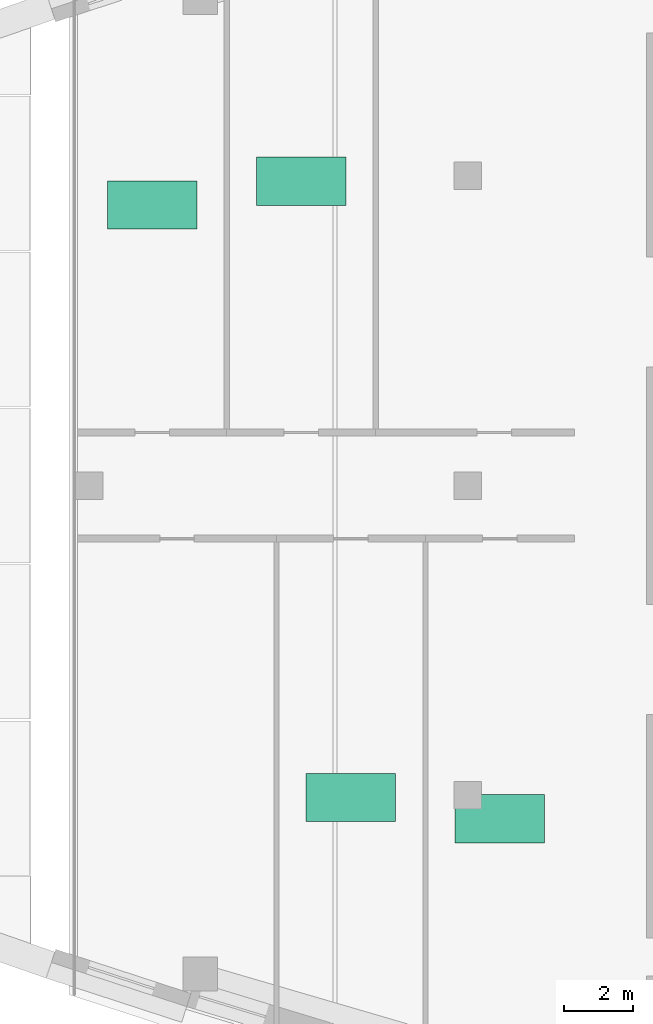
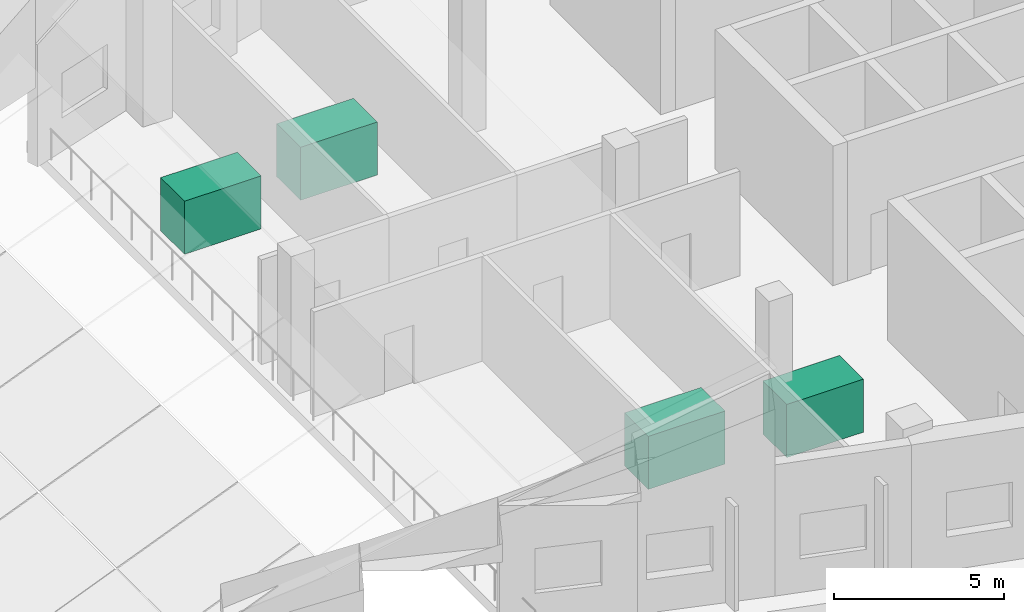
# One storey, part 8 of 8: 4 fans.
"""IFC4 building model written with IfcOpenShell, lengths in metres."""

from ifc_helpers import new_model, si_unit, direction, frame, origin, origin_2d, place, context, subcontext, project, spatial, rectangle, extrude, material, type_object, element, save


model = new_model("IFC4")

# Units and contexts
model_context = context("Model", 3, precision=1e-05, world=origin(), true_north=direction((0.0, 1.0)))
body_context = subcontext(model_context, "Body", "Model", "MODEL_VIEW")
ifc_project = project(units=[si_unit("LENGTHUNIT", "METRE"), si_unit("AREAUNIT", "SQUARE_METRE"), si_unit("VOLUMEUNIT", "CUBIC_METRE"), si_unit("PLANEANGLEUNIT", "RADIAN"), si_unit("MASSUNIT", "GRAM", prefix="KILO")], contexts=[model_context])

# Site, building, storey
site_placement = place(None, origin())
site = spatial("IfcSite", under=ifc_project, at=site_placement, CompositionType="ELEMENT")
building_placement = place(site_placement, origin())
building = spatial("IfcBuilding", under=site, at=building_placement, Name="Ostrand Prow Hotel Tower", CompositionType="ELEMENT")
storey_placement = place(building_placement, frame((0.0, 0.0, 332.39990234375)))
storey = spatial("IfcBuildingStorey", under=building, at=storey_placement, Name="C6", CompositionType="ELEMENT", Elevation=332.39990234375)

# Fans
ifc_material = material(Name="Painted steel", Category="steel")
fan_type = type_object("IfcFanType", Name="Air handling fan unit 2600x1400", PredefinedType="CENTRIFUGALAIRFOIL", material=ifc_material)
for number, where, z_axis, x_axis, name in (
    (1, (41.603515625, -9.06396484375, 0.000244140625), (0.0, 0.0, 1.0), (1.0, 0.0, 0.0), "Air Air Handling Plant Room"),
    (2, (45.9345703125, -9.683349609375, 0.000244140625), (0.0, 0.0, 1.0), (1.0, 0.0, 0.0), "Air Mechanical Telecoms Room"),
    (3, (35.828857421875, 8.1591796875, 0.000244140625), (0.0, 0.0, 1.0), (1.0, 0.0, 0.0), "Air Mechanical Telecoms Room"),
    (4, (40.159912109375, 8.84619140625, 0.000244140625), (0.0, 0.0, 1.0), (1.0, 0.0, 0.0), "Air Air Handling Plant Room"),
):
    element("IfcFan", number, at=place(storey_placement, frame(where, z_axis=z_axis, x_axis=x_axis)), inside=storey, type_object=fan_type, Name=name, PredefinedType="CENTRIFUGALAIRFOIL", context=body_context, shape_type="SweptSolid", body=[
        extrude(rectangle(XDim=2.60009765625, YDim=1.39990234375, at=origin_2d()), origin(), (0.0, 0.0, 1.0), 1.89990234375),
    ])

save(model, "model.ifc")
